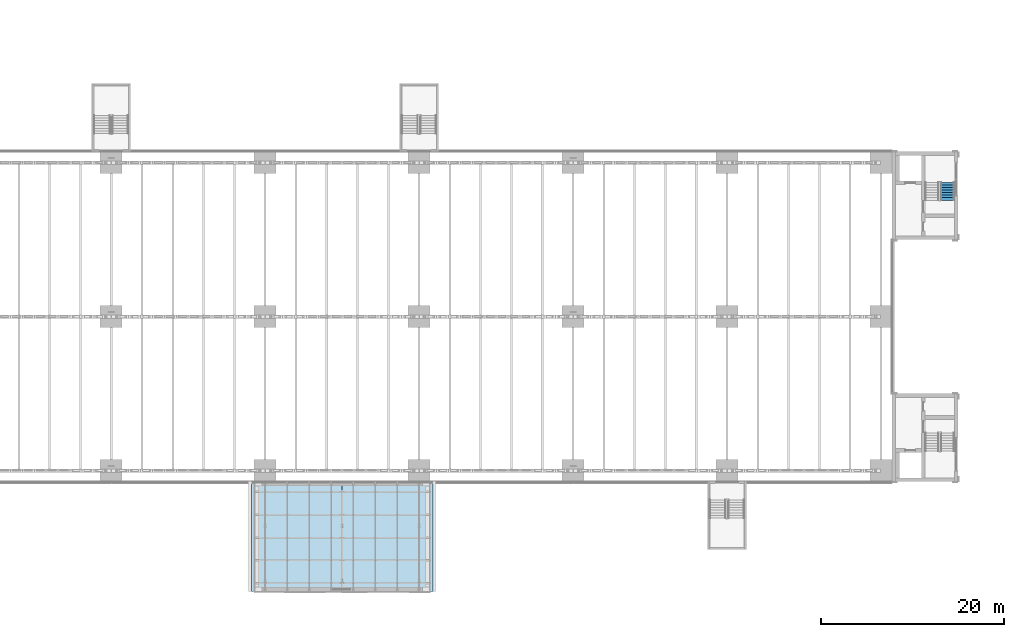
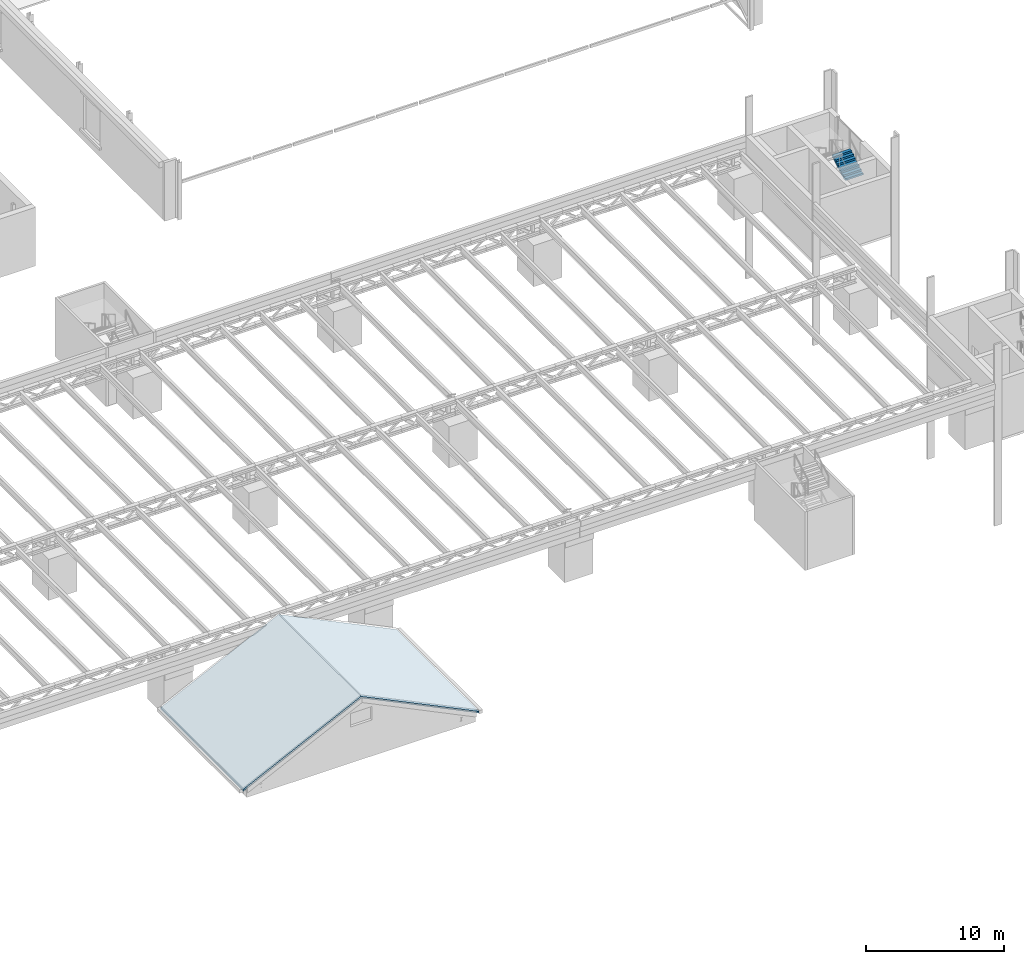
# One storey, part 78 of 93: 1 roof, 1 stair flight, 1 element without a shape of its own.
"""IFC4 building model written with IfcOpenShell, lengths in metres."""

from ifc_helpers import new_model, si_unit, direction, frame, origin, place, context, subcontext, project, spatial, polygons, material, layer, layer_set, type_object, element, aggregate, save


model = new_model("IFC4")

# Units and contexts
model_context = context("Model", 3, precision=1e-05, world=origin(), true_north=direction((0.0, 1.0)))
body_context = subcontext(model_context, "Body", "Model", "MODEL_VIEW")
ifc_project = project(units=[si_unit("LENGTHUNIT", "METRE"), si_unit("AREAUNIT", "SQUARE_METRE"), si_unit("VOLUMEUNIT", "CUBIC_METRE"), si_unit("PLANEANGLEUNIT", "RADIAN"), si_unit("MASSUNIT", "GRAM", prefix="KILO")], contexts=[model_context])

# Site, building, storey
site_placement = place(None, origin())
site = spatial("IfcSite", under=ifc_project, at=site_placement, CompositionType="ELEMENT")
building_placement = place(site_placement, origin())
building = spatial("IfcBuilding", under=site, at=building_placement, Name="Verrick Yard Athletic Hall", CompositionType="ELEMENT")
storey_placement = place(building_placement, frame((0.0, 0.0, 8.800048828125)))
storey = spatial("IfcBuildingStorey", under=building, at=storey_placement, Name="L02", CompositionType="ELEMENT", Elevation=8.800048828125)

# Stair, stair flight
ifc_material_1 = material(Name="Concrete 35 MPa", Category="concrete")
stair_type = type_object("IfcStairType", Name="Stair ST2 1500 wide 32 risers", PredefinedType="HALF_TURN_STAIR", material=ifc_material_1)
stair_placement = place(storey_placement, origin())
stair = element("IfcStair", 1, at=stair_placement, inside=storey, type_object=stair_type, Name="Plinth north-east stair L02", PredefinedType="HALF_TURN_STAIR")
stair_flight_type = type_object("IfcStairFlightType", Name="Stair flight SF2 1500 wide 8 risers", PredefinedType="STRAIGHT", material=ifc_material_1)
stair_flight_placement = place(storey_placement, frame((164.85009765625, 48.699951171875, 2.599853515625), z_axis=(0.0, 0.0, 1.0), x_axis=(0.0, 1.0, 0.0)))
stair_flight = element("IfcStairFlight", 2, at=stair_flight_placement, type_object=stair_flight_type, Name="ST2 flight 3", NumberOfRisers=8, NumberOfTreads=7, PredefinedType="STRAIGHT", RiserHeight=0.1625, TreadLength=0.28, context=body_context, shape_type="Tessellation", body=[
    polygons([(0.2986404620805121, -0.75, 0.0), (1.9600000000000002, -0.75, 0.9641818746854172), (1.9600000000000002, -0.75, 1.1375), (1.6800000000000002, -0.75, 1.1375), (1.6800000000000002, -0.75, 0.9750000000000001), (1.4000000000000001, -0.75, 0.9750000000000001), (1.4000000000000001, -0.75, 0.8125), (1.12, -0.75, 0.8125), (1.12, -0.75, 0.65), (0.8400000000000001, -0.75, 0.65), (0.8400000000000001, -0.75, 0.48750000000000004), (0.56, -0.75, 0.48750000000000004), (0.56, -0.75, 0.325), (0.28, -0.75, 0.325), (0.28, -0.75, 0.1625), (0.0, -0.75, 0.1625), (0.0, -0.75, 0.0), (0.2986404620805121, -0.14990234375, 0.0), (1.9600000000000002, -0.14990234375, 0.9641818746854172), (1.9600000000000002, -0.14990234375, 1.1375), (1.6800000000000002, -0.14990234375, 1.1375), (1.6800000000000002, -0.14990234375, 0.9750000000000001), (1.4000000000000001, -0.14990234375, 0.9750000000000001), (1.4000000000000001, -0.14990234375, 0.8125), (1.12, -0.14990234375, 0.8125), (1.12, -0.14990234375, 0.65), (0.8400000000000001, -0.14990234375, 0.65), (0.8400000000000001, -0.14990234375, 0.48750000000000004), (0.56, -0.14990234375, 0.48750000000000004), (0.56, -0.14990234375, 0.325), (0.28, -0.14990234375, 0.325), (0.28, -0.14990234375, 0.1625), (0.0, -0.14990234375, 0.1625), (0.0, -0.14990234375, 0.0), (0.2986404620805121, -0.050048828125, 0.0), (1.9600000000000002, -0.050048828125, 0.9641818746854172), (1.9600000000000002, -0.050048828125, 1.1375), (1.6800000000000002, -0.050048828125, 1.1375), (1.6800000000000002, -0.050048828125, 0.9750000000000001), (1.4000000000000001, -0.050048828125, 0.9750000000000001), (1.4000000000000001, -0.050048828125, 0.8125), (1.12, -0.050048828125, 0.8125), (1.12, -0.050048828125, 0.65), (0.8400000000000001, -0.050048828125, 0.65), (0.8400000000000001, -0.050048828125, 0.48750000000000004), (0.56, -0.050048828125, 0.48750000000000004), (0.56, -0.050048828125, 0.325), (0.28, -0.050048828125, 0.325), (0.28, -0.050048828125, 0.1625), (0.0, -0.050048828125, 0.1625), (0.0, -0.050048828125, 0.0), (0.2986404620805121, 0.050048828125, 0.0), (1.9600000000000002, 0.050048828125, 0.9641818746854172), (1.9600000000000002, 0.050048828125, 1.1375), (1.6800000000000002, 0.050048828125, 1.1375), (1.6800000000000002, 0.050048828125, 0.9750000000000001), (1.4000000000000001, 0.050048828125, 0.9750000000000001), (1.4000000000000001, 0.050048828125, 0.8125), (1.12, 0.050048828125, 0.8125), (1.12, 0.050048828125, 0.65), (0.8400000000000001, 0.050048828125, 0.65), (0.8400000000000001, 0.050048828125, 0.48750000000000004), (0.56, 0.050048828125, 0.48750000000000004), (0.56, 0.050048828125, 0.325), (0.28, 0.050048828125, 0.325), (0.28, 0.050048828125, 0.1625), (0.0, 0.050048828125, 0.1625), (0.0, 0.050048828125, 0.0), (0.2986404620805121, 0.14990234375, 0.0), (1.9600000000000002, 0.14990234375, 0.9641818746854172), (1.9600000000000002, 0.14990234375, 1.1375), (1.6800000000000002, 0.14990234375, 1.1375), (1.6800000000000002, 0.14990234375, 0.9750000000000001), (1.4000000000000001, 0.14990234375, 0.9750000000000001), (1.4000000000000001, 0.14990234375, 0.8125), (1.12, 0.14990234375, 0.8125), (1.12, 0.14990234375, 0.65), (0.8400000000000001, 0.14990234375, 0.65), (0.8400000000000001, 0.14990234375, 0.48750000000000004), (0.56, 0.14990234375, 0.48750000000000004), (0.56, 0.14990234375, 0.325), (0.28, 0.14990234375, 0.325), (0.28, 0.14990234375, 0.1625), (0.0, 0.14990234375, 0.1625), (0.0, 0.14990234375, 0.0), (0.2986404620805121, 0.75, 0.0), (1.9600000000000002, 0.75, 0.9641818746854172), (1.9600000000000002, 0.75, 1.1375), (1.6800000000000002, 0.75, 1.1375), (1.6800000000000002, 0.75, 0.9750000000000001), (1.4000000000000001, 0.75, 0.9750000000000001), (1.4000000000000001, 0.75, 0.8125), (1.12, 0.75, 0.8125), (1.12, 0.75, 0.65), (0.8400000000000001, 0.75, 0.65), (0.8400000000000001, 0.75, 0.48750000000000004), (0.56, 0.75, 0.48750000000000004), (0.56, 0.75, 0.325), (0.28, 0.75, 0.325), (0.28, 0.75, 0.1625), (0.0, 0.75, 0.1625), (0.0, 0.75, 0.0)], [[[1, 2, 3, 4, 5, 6, 7, 8, 9, 10, 11, 12, 13, 14, 15, 16, 17]], [[102, 101, 100, 99, 98, 97, 96, 95, 94, 93, 92, 91, 90, 89, 88, 87, 86]], [[1, 18, 19, 2]], [[2, 19, 20, 3]], [[3, 20, 21, 4]], [[4, 21, 22, 5]], [[5, 22, 23, 6]], [[6, 23, 24, 7]], [[7, 24, 25, 8]], [[8, 25, 26, 9]], [[9, 26, 27, 10]], [[10, 27, 28, 11]], [[11, 28, 29, 12]], [[12, 29, 30, 13]], [[13, 30, 31, 14]], [[14, 31, 32, 15]], [[15, 32, 33, 16]], [[16, 33, 34, 17]], [[17, 34, 18, 1]], [[18, 35, 36, 19]], [[19, 36, 37, 20]], [[20, 37, 38, 21]], [[21, 38, 39, 22]], [[22, 39, 40, 23]], [[23, 40, 41, 24]], [[24, 41, 42, 25]], [[25, 42, 43, 26]], [[26, 43, 44, 27]], [[27, 44, 45, 28]], [[28, 45, 46, 29]], [[29, 46, 47, 30]], [[30, 47, 48, 31]], [[31, 48, 49, 32]], [[32, 49, 50, 33]], [[33, 50, 51, 34]], [[34, 51, 35, 18]], [[35, 52, 53, 36]], [[36, 53, 54, 37]], [[37, 54, 55, 38]], [[38, 55, 56, 39]], [[39, 56, 57, 40]], [[40, 57, 58, 41]], [[41, 58, 59, 42]], [[42, 59, 60, 43]], [[43, 60, 61, 44]], [[44, 61, 62, 45]], [[45, 62, 63, 46]], [[46, 63, 64, 47]], [[47, 64, 65, 48]], [[48, 65, 66, 49]], [[49, 66, 67, 50]], [[50, 67, 68, 51]], [[51, 68, 52, 35]], [[52, 69, 70, 53]], [[53, 70, 71, 54]], [[54, 71, 72, 55]], [[55, 72, 73, 56]], [[56, 73, 74, 57]], [[57, 74, 75, 58]], [[58, 75, 76, 59]], [[59, 76, 77, 60]], [[60, 77, 78, 61]], [[61, 78, 79, 62]], [[62, 79, 80, 63]], [[63, 80, 81, 64]], [[64, 81, 82, 65]], [[65, 82, 83, 66]], [[66, 83, 84, 67]], [[67, 84, 85, 68]], [[68, 85, 69, 52]], [[69, 86, 87, 70]], [[70, 87, 88, 71]], [[71, 88, 89, 72]], [[72, 89, 90, 73]], [[73, 90, 91, 74]], [[74, 91, 92, 75]], [[75, 92, 93, 76]], [[76, 93, 94, 77]], [[77, 94, 95, 78]], [[78, 95, 96, 79]], [[79, 96, 97, 80]], [[80, 97, 98, 81]], [[81, 98, 99, 82]], [[82, 99, 100, 83]], [[83, 100, 101, 84]], [[84, 101, 102, 85]], [[85, 102, 86, 69]]], closed=True),
])
aggregate(stair, [stair_flight])

# Roof
ifc_material_2 = material(Name="Standing-seam aluminium roofing", Category="aluminium")
ifc_layer = layer(ifc_material_2, 0.14990234375)
ifc_layer_set = layer_set([ifc_layer], Name="Gable roof")
roof_type = type_object("IfcRoofType", Name="Gable roof", PredefinedType="GABLE_ROOF", material=ifc_layer_set)
roof_placement = place(storey_placement, origin())
element("IfcRoof", 3, at=roof_placement, inside=storey, type_object=roof_type, Name="Foyer pavilion roof", PredefinedType="GABLE_ROOF", context=body_context, shape_type="Tessellation", body=[
    polygons([(88.89990234375, 6.0, 0.800048828125), (98.800048828125, 6.0, 5.599853515625), (108.699951171875, 6.0, 0.800048828125), (108.699951171875, 18.0, 0.800048828125), (98.800048828125, 18.0, 5.599853515625), (88.89990234375, 18.0, 0.800048828125), (88.89990234375, 6.0, 0.64990234375), (98.800048828125, 6.0, 5.449951171875), (108.699951171875, 6.0, 0.64990234375), (108.699951171875, 18.0, 0.64990234375), (98.800048828125, 18.0, 5.449951171875), (88.89990234375, 18.0, 0.64990234375)], [[[1, 2, 5]], [[1, 5, 6]], [[2, 3, 4]], [[2, 4, 5]], [[7, 11, 8]], [[7, 12, 11]], [[8, 10, 9]], [[8, 11, 10]], [[1, 7, 8]], [[1, 8, 2]], [[2, 8, 9]], [[2, 9, 3]], [[3, 9, 10]], [[3, 10, 4]], [[4, 10, 11]], [[4, 11, 5]], [[5, 11, 12]], [[5, 12, 6]], [[6, 12, 7]], [[6, 7, 1]]], closed=True),
])

save(model, "model.ifc")
